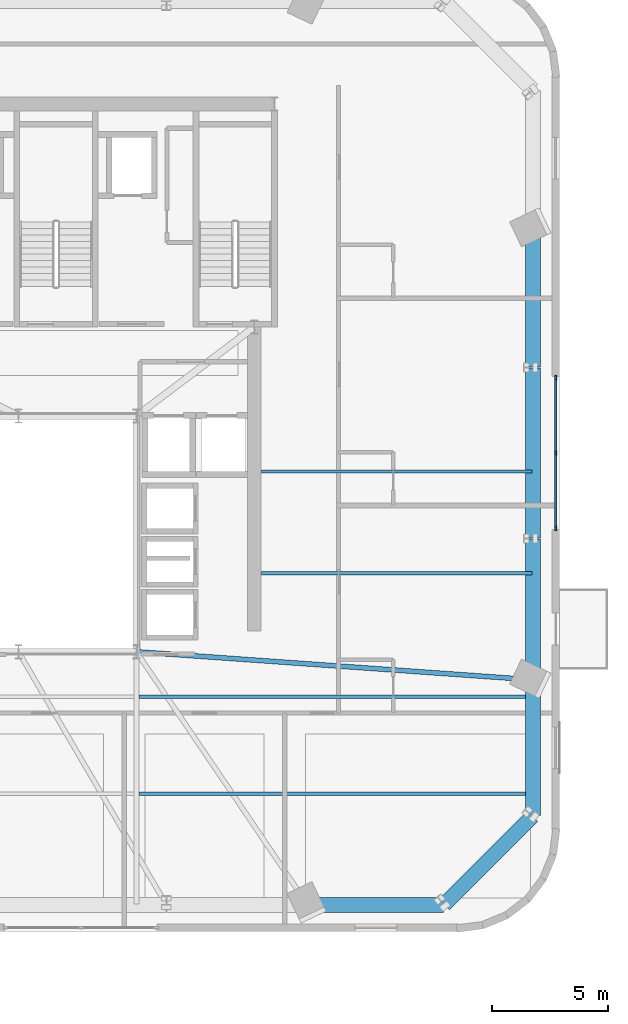
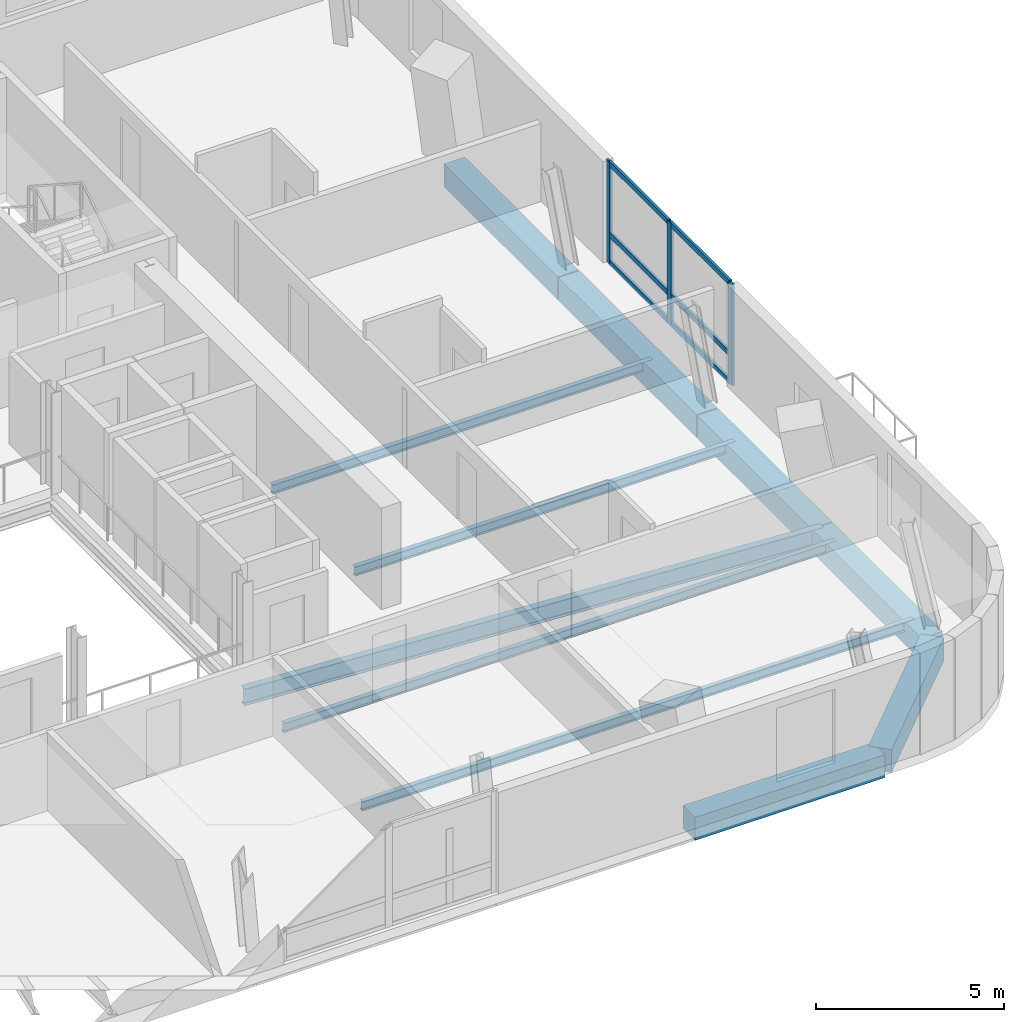
# One storey, part 3 of 13: 11 beams, 9 members, 1 element without a shape of its own.
"""IFC4 building model written with IfcOpenShell, lengths in metres."""

from ifc_helpers import new_model, si_unit, direction, frame, origin, origin_2d, place, context, subcontext, project, spatial, rectangle, i_section, extrude, source, transform, mapped, material, material_profile, profile_set, type_object, element, aggregate, save


model = new_model("IFC4")

# Units and contexts
model_context = context("Model", 3, precision=1e-05, world=origin(), true_north=direction((0.0, 1.0)))
body_context = subcontext(model_context, "Body", "Model", "MODEL_VIEW")
ifc_project = project(units=[si_unit("LENGTHUNIT", "METRE"), si_unit("AREAUNIT", "SQUARE_METRE"), si_unit("VOLUMEUNIT", "CUBIC_METRE"), si_unit("PLANEANGLEUNIT", "RADIAN"), si_unit("MASSUNIT", "GRAM", prefix="KILO")], contexts=[model_context])

# Site, building, storey
site_placement = place(None, origin())
site = spatial("IfcSite", under=ifc_project, at=site_placement, CompositionType="ELEMENT")
building_placement = place(site_placement, origin())
building = spatial("IfcBuilding", under=site, at=building_placement, Name="Vardaveli Station Tower", CompositionType="ELEMENT")
storey_placement = place(building_placement, frame((0.0, 0.0, 274.300048828125)))
storey = spatial("IfcBuildingStorey", under=building, at=storey_placement, Name="L70", CompositionType="ELEMENT", Elevation=274.300048828125)

# Beams
ifc_material_1 = material(Name="Precast concrete C45/55", Category="concrete")
ifc_material_profile_1 = material_profile(ifc_material_1, rectangle(XDim=0.64990234375, YDim=0.75, at=origin_2d()), Name="LPB 650x750")
ifc_profile_set_1 = profile_set([ifc_material_profile_1], Name="Precast concrete C45/55")
beam_type_1 = type_object("IfcBeamType", Name="BM-LPB-750", PredefinedType="BEAM", material=ifc_profile_set_1)
shared_shape_1 = source(origin(), body_context, "Body", "SweptSolid", [
    extrude(rectangle(XDim=0.64990234375, YDim=0.75, at=origin_2d()), origin(), (0.0, 0.0, 1.0), 7.35986328125),
])
beam_1_placement = place(storey_placement, frame((58.550048828125, 21.52001953125, -0.675048828125), z_axis=(0.0, 1.0, 0.0), x_axis=(-1.0, 0.0, 0.0)))
element("IfcBeam", 1, at=beam_1_placement, inside=storey, type_object=beam_type_1, Name="RBM-L70-08", PredefinedType="BEAM", context=body_context, shape_type="MappedRepresentation", body=[
    mapped(shared_shape_1, transform((0.0, 0.0, 0.0), scale=1.0)),
])
shared_shape_2 = source(origin(), body_context, "Body", "SweptSolid", [
    extrude(rectangle(XDim=0.64990234375, YDim=0.75, at=origin_2d()), origin(), (0.0, 0.0, 1.0), 6.07177734375),
])
for number, where, z_axis, x_axis, name in (
    (2, (58.550048828125, 15.408203125, -0.675048828125), (0.0, 1.0, 0.0), (-1.0, 0.0, 0.0), "RBM-L70-07"),
    (3, (58.550048828125, 28.919921875, -0.675048828125), (0.0, 1.0, 0.0), (-1.0, 0.0, 0.0), "RBM-L70-09"),
):
    element("IfcBeam", number, at=place(storey_placement, frame(where, z_axis=z_axis, x_axis=x_axis)), inside=storey, type_object=beam_type_1, Name=name, PredefinedType="BEAM", context=body_context, shape_type="MappedRepresentation", body=[
        mapped(shared_shape_2, transform((0.0, 0.0, 0.0), scale=1.0)),
    ])
shared_shape_3 = source(origin(), body_context, "Body", "SweptSolid", [
    extrude(rectangle(XDim=0.64990234375, YDim=0.75, at=origin_2d()), origin(), (0.0, 0.0, 1.0), 5.851318359375),
])
beam_2_placement = place(storey_placement, frame((48.831787109375, 5.64990234375, -0.675048828125), z_axis=(1.0, 0.0, 0.0), x_axis=(0.0, 1.0, 0.0)))
element("IfcBeam", 4, at=beam_2_placement, inside=storey, type_object=beam_type_1, Name="RBM-L70-04", PredefinedType="BEAM", context=body_context, shape_type="MappedRepresentation", body=[
    mapped(shared_shape_3, transform((0.0, 0.0, 0.0), scale=1.0)),
])
shared_shape_4 = source(origin(), body_context, "Body", "SweptSolid", [
    extrude(rectangle(XDim=0.64990234375, YDim=0.75, at=origin_2d()), origin(), (0.0, 0.0, 1.0), 5.400634765625),
])
beam_3_placement = place(storey_placement, frame((54.717041015625, 5.6640625, -0.675048828125), z_axis=(0.707106781187, 0.707106781187, 0.0), x_axis=(-0.707106781187, 0.707106781187, 0.0)))
element("IfcBeam", 5, at=beam_3_placement, inside=storey, type_object=beam_type_1, Name="RBM-L70-05", PredefinedType="BEAM", context=body_context, shape_type="MappedRepresentation", body=[
    mapped(shared_shape_4, transform((0.0, 0.0, 0.0), scale=1.0)),
])
shared_shape_5 = source(origin(), body_context, "Body", "SweptSolid", [
    extrude(rectangle(XDim=0.64990234375, YDim=0.75, at=origin_2d()), origin(), (0.0, 0.0, 1.0), 5.85107421875),
])
beam_4_placement = place(storey_placement, frame((58.550048828125, 9.51708984375, -0.675048828125), z_axis=(0.0, 1.0, 0.0), x_axis=(-1.0, 0.0, 0.0)))
element("IfcBeam", 6, at=beam_4_placement, inside=storey, type_object=beam_type_1, Name="RBM-L70-06", PredefinedType="BEAM", context=body_context, shape_type="MappedRepresentation", body=[
    mapped(shared_shape_5, transform((0.0, 0.0, 0.0), scale=1.0)),
])
ifc_material_2 = material(Name="Structural steel S355J2", Category="steel")
ifc_material_profile_2 = material_profile(ifc_material_2, i_section(OverallWidth=0.2099609375, OverallDepth=0.550048828125, WebThickness=0.010986328125, FlangeThickness=0.01708984375, FilletRadius=0.02392578125, at=origin_2d()), Name="IPE 550")
ifc_profile_set_2 = profile_set([ifc_material_profile_2], Name="Structural steel S355J2")
beam_type_2 = type_object("IfcBeamType", Name="BM-IPE550", PredefinedType="BEAM", material=ifc_profile_set_2)
shared_shape_6 = source(origin(), body_context, "Body", "SweptSolid", [
    extrude(i_section(OverallWidth=0.2099609375, OverallDepth=0.550048828125, WebThickness=0.010986328125, FlangeThickness=0.01708984375, FilletRadius=0.02392578125, at=origin_2d()), origin(), (0.0, 0.0, 1.0), 17.15283203125),
])
beam_5_placement = place(storey_placement, frame((58.530029296875, 15.3896484375, -0.574951171875), z_axis=(-0.997512956454, 0.070483343469, 0.0), x_axis=(-0.070483343469, -0.997512956454, 0.0)))
element("IfcBeam", 7, at=beam_5_placement, inside=storey, type_object=beam_type_2, Name="GBM-L70-05", PredefinedType="BEAM", context=body_context, shape_type="MappedRepresentation", body=[
    mapped(shared_shape_6, transform((0.0, 0.0, 0.0), scale=1.0)),
])
ifc_material_profile_3 = material_profile(ifc_material_2, i_section(OverallWidth=0.14990234375, OverallDepth=0.300048828125, WebThickness=0.007080078125, FlangeThickness=0.0107421875, FilletRadius=0.014892578125, at=origin_2d()), Name="IPE 300")
ifc_profile_set_3 = profile_set([ifc_material_profile_3], Name="Structural steel S355J2")
beam_type_3 = type_object("IfcBeamType", Name="BM-IPE300", PredefinedType="JOIST", material=ifc_profile_set_3)
shared_shape_7 = source(origin(), body_context, "Body", "SweptSolid", [
    extrude(i_section(OverallWidth=0.14990234375, OverallDepth=0.300048828125, WebThickness=0.007080078125, FlangeThickness=0.0107421875, FilletRadius=0.014892578125, at=origin_2d()), origin(), (0.0, 0.0, 1.0), 16.998046875),
])
for number, where, z_axis, x_axis, name in (
    (8, (41.511962890625, 10.449951171875, -0.449951171875), (1.0, 0.0, 0.0), (0.0, 1.0, 0.0), "SJ-L70-S03"),
    (9, (41.511962890625, 14.64990234375, -0.449951171875), (1.0, 0.0, 0.0), (0.0, 1.0, 0.0), "SJ-L70-S06"),
):
    element("IfcBeam", number, at=place(storey_placement, frame(where, z_axis=z_axis, x_axis=x_axis)), inside=storey, type_object=beam_type_3, Name=name, PredefinedType="JOIST", context=body_context, shape_type="MappedRepresentation", body=[
        mapped(shared_shape_7, transform((0.0, 0.0, 0.0), scale=1.0)),
    ])
shared_shape_8 = source(origin(), body_context, "Body", "SweptSolid", [
    extrude(i_section(OverallWidth=0.14990234375, OverallDepth=0.300048828125, WebThickness=0.007080078125, FlangeThickness=0.0107421875, FilletRadius=0.014892578125, at=origin_2d()), origin(), (0.0, 0.0, 1.0), 11.705078125),
])
for number, where, z_axis, x_axis, name in (
    (10, (46.804931640625, 20.0, -0.449951171875), (1.0, 0.0, 0.0), (0.0, 1.0, 0.0), "SJ-L70-E09"),
    (11, (46.804931640625, 24.39990234375, -0.449951171875), (1.0, 0.0, 0.0), (0.0, 1.0, 0.0), "SJ-L70-E10"),
):
    element("IfcBeam", number, at=place(storey_placement, frame(where, z_axis=z_axis, x_axis=x_axis)), inside=storey, type_object=beam_type_3, Name=name, PredefinedType="JOIST", context=body_context, shape_type="MappedRepresentation", body=[
        mapped(shared_shape_8, transform((0.0, 0.0, 0.0), scale=1.0)),
    ])

# Curtain wall, members
ifc_material_3 = material(Name="Travertine stone and solar-control glass", Category="masonry")
curtain_wall_type = type_object("IfcCurtainWallType", Name="CW-SYS-5", PredefinedType="NOTDEFINED", material=ifc_material_3)
curtain_wall_placement = place(storey_placement, origin())
curtain_wall = element("IfcCurtainWall", 12, at=curtain_wall_placement, inside=storey, type_object=curtain_wall_type, Name="CW-L70-E", PredefinedType="NOTDEFINED")
ifc_material_4 = material(Name="Anodised aluminium alloy 6063-T6", Category="aluminium")
ifc_material_profile_4 = material_profile(ifc_material_4, rectangle(XDim=0.080078125, YDim=0.1650390625, at=origin_2d()), Name="CWT 80x165")
ifc_profile_set_4 = profile_set([ifc_material_profile_4], Name="Anodised aluminium alloy 6063-T6")
member_type_1 = type_object("IfcMemberType", Name="CW-SYS-5-TRAN", PredefinedType="NOTDEFINED", material=ifc_profile_set_4)
shared_shape_9 = source(origin(), body_context, "Body", "SweptSolid", [
    extrude(rectangle(XDim=0.080078125, YDim=0.1650390625, at=origin_2d()), origin(), (0.0, 0.0, 1.0), 3.179931640625),
])
member_1_placement = place(storey_placement, frame((59.5400390625, 21.97998046875, 0.0400390625), z_axis=(0.0, 1.0, 0.0), x_axis=(-1.0, 0.0, 0.0)))
member_1 = element("IfcMember", 13, at=member_1_placement, type_object=member_type_1, Name="CW-5 transom 1.1", ObjectType="TRANSOM", PredefinedType="USERDEFINED", context=body_context, shape_type="MappedRepresentation", body=[
    mapped(shared_shape_9, transform((0.0, 0.0, 0.0), scale=1.0)),
])
member_2_placement = place(storey_placement, frame((59.5400390625, 21.97998046875, 0.949951171875), z_axis=(0.0, 1.0, 0.0), x_axis=(-1.0, 0.0, 0.0)))
member_2 = element("IfcMember", 14, at=member_2_placement, type_object=member_type_1, Name="CW-5 transom 1.2", ObjectType="TRANSOM", PredefinedType="USERDEFINED", context=body_context, shape_type="MappedRepresentation", body=[
    mapped(shared_shape_9, transform((0.0, 0.0, 0.0), scale=1.0)),
])
member_3_placement = place(storey_placement, frame((59.5400390625, 21.97998046875, 3.260009765625), z_axis=(0.0, 1.0, 0.0), x_axis=(-1.0, 0.0, 0.0)))
member_3 = element("IfcMember", 15, at=member_3_placement, type_object=member_type_1, Name="CW-5 transom 1.3", ObjectType="TRANSOM", PredefinedType="USERDEFINED", context=body_context, shape_type="MappedRepresentation", body=[
    mapped(shared_shape_9, transform((0.0, 0.0, 0.0), scale=1.0)),
])
member_4_placement = place(storey_placement, frame((59.5400390625, 25.239990234375, 0.0400390625), z_axis=(0.0, 1.0, 0.0), x_axis=(-1.0, 0.0, 0.0)))
member_4 = element("IfcMember", 16, at=member_4_placement, type_object=member_type_1, Name="CW-5 transom 2.1", ObjectType="TRANSOM", PredefinedType="USERDEFINED", context=body_context, shape_type="MappedRepresentation", body=[
    mapped(shared_shape_9, transform((0.0, 0.0, 0.0), scale=1.0)),
])
member_5_placement = place(storey_placement, frame((59.5400390625, 25.239990234375, 0.949951171875), z_axis=(0.0, 1.0, 0.0), x_axis=(-1.0, 0.0, 0.0)))
member_5 = element("IfcMember", 17, at=member_5_placement, type_object=member_type_1, Name="CW-5 transom 2.2", ObjectType="TRANSOM", PredefinedType="USERDEFINED", context=body_context, shape_type="MappedRepresentation", body=[
    mapped(shared_shape_9, transform((0.0, 0.0, 0.0), scale=1.0)),
])
member_6_placement = place(storey_placement, frame((59.5400390625, 25.239990234375, 3.260009765625), z_axis=(0.0, 1.0, 0.0), x_axis=(-1.0, 0.0, 0.0)))
member_6 = element("IfcMember", 18, at=member_6_placement, type_object=member_type_1, Name="CW-5 transom 2.3", ObjectType="TRANSOM", PredefinedType="USERDEFINED", context=body_context, shape_type="MappedRepresentation", body=[
    mapped(shared_shape_9, transform((0.0, 0.0, 0.0), scale=1.0)),
])
ifc_material_profile_5 = material_profile(ifc_material_4, rectangle(XDim=0.080078125, YDim=0.205078125, at=origin_2d()), Name="CWM 80x205")
ifc_profile_set_5 = profile_set([ifc_material_profile_5], Name="Anodised aluminium alloy 6063-T6")
member_type_2 = type_object("IfcMemberType", Name="CW-SYS-5-MULL", PredefinedType="MULLION", material=ifc_profile_set_5)
shared_shape_10 = source(origin(), body_context, "Body", "SweptSolid", [
    extrude(rectangle(XDim=0.080078125, YDim=0.205078125, at=origin_2d()), origin(), (0.0, 0.0, 1.0), 3.300048828125),
])
member_7_placement = place(storey_placement, frame((59.5400390625, 21.93994140625, 0.0), z_axis=(0.0, 0.0, 1.0), x_axis=(-1.0, 0.0, 0.0)))
member_7 = element("IfcMember", 19, at=member_7_placement, type_object=member_type_2, Name="CW-5 mullion 1", PredefinedType="MULLION", context=body_context, shape_type="MappedRepresentation", body=[
    mapped(shared_shape_10, transform((0.0, 0.0, 0.0), scale=1.0)),
])
member_8_placement = place(storey_placement, frame((59.5400390625, 25.199951171875, 0.0), z_axis=(0.0, 0.0, 1.0), x_axis=(-1.0, 0.0, 0.0)))
member_8 = element("IfcMember", 20, at=member_8_placement, type_object=member_type_2, Name="CW-5 mullion 2", PredefinedType="MULLION", context=body_context, shape_type="MappedRepresentation", body=[
    mapped(shared_shape_10, transform((0.0, 0.0, 0.0), scale=1.0)),
])
member_9_placement = place(storey_placement, frame((59.5400390625, 28.4599609375, 0.0), z_axis=(0.0, 0.0, 1.0), x_axis=(-1.0, 0.0, 0.0)))
member_9 = element("IfcMember", 21, at=member_9_placement, type_object=member_type_2, Name="CW-5 mullion 3", PredefinedType="MULLION", context=body_context, shape_type="MappedRepresentation", body=[
    mapped(shared_shape_10, transform((0.0, 0.0, 0.0), scale=1.0)),
])
aggregate(curtain_wall, [member_7, member_8, member_9, member_1, member_2, member_3, member_4, member_5, member_6])

save(model, "model.ifc")
